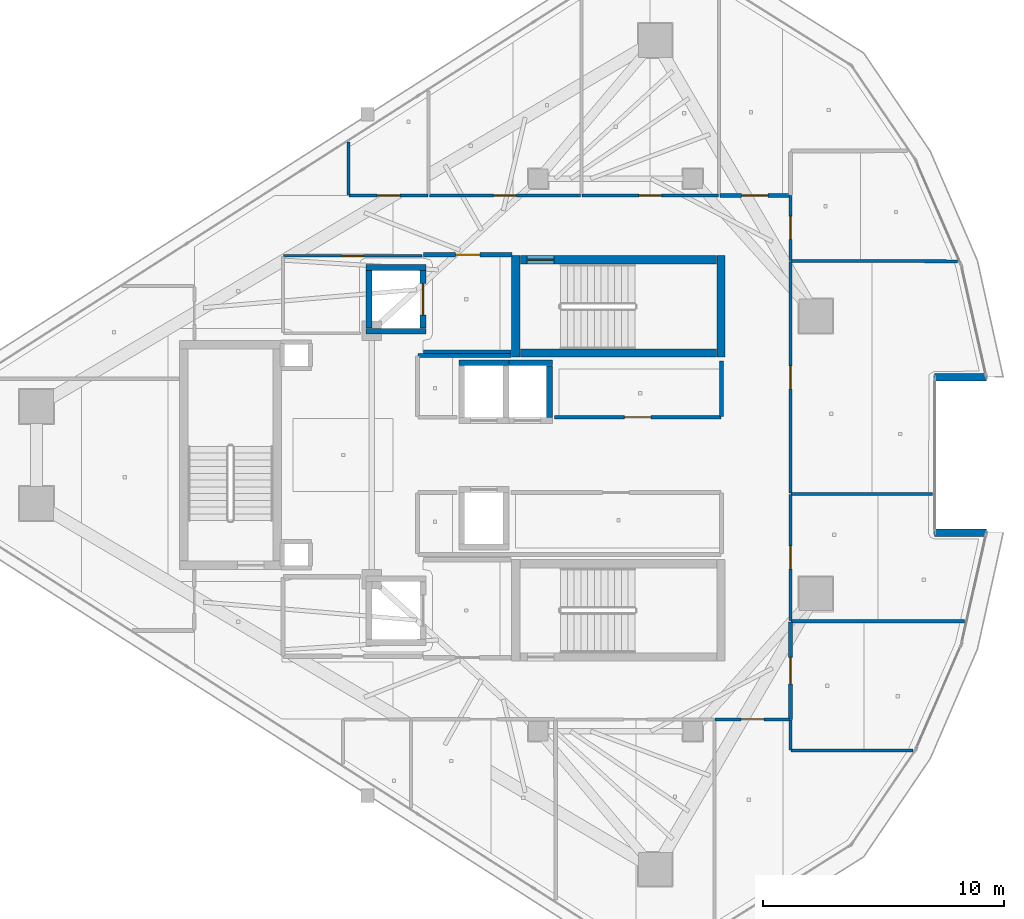
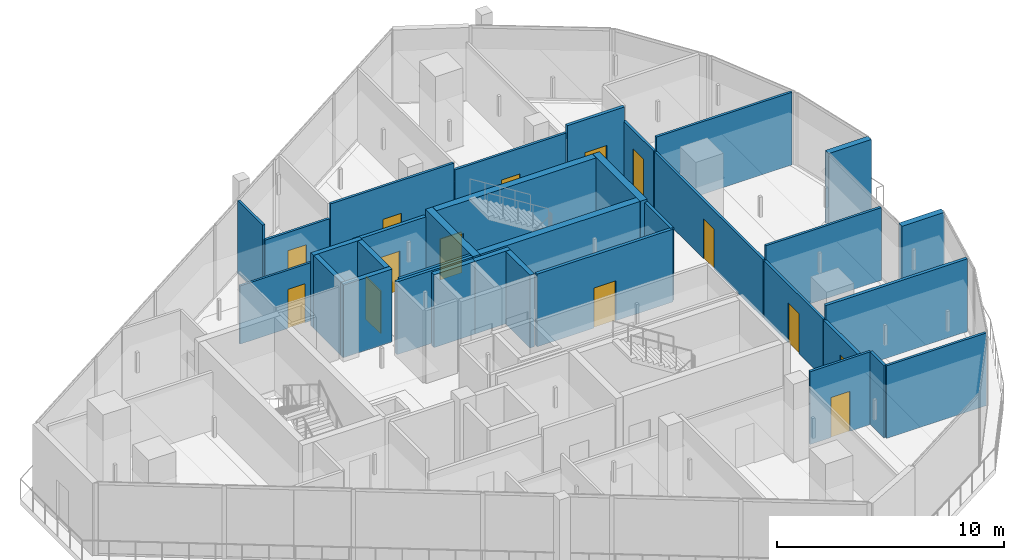
# One storey, part 17 of 24: 34 walls, 14 doors, 14 openings.
"""IFC4 building model written with IfcOpenShell, lengths in metres."""

from ifc_helpers import new_model, si_unit, direction, frame, frame_2d, origin, place, context, subcontext, project, spatial, rectangle, extrude, material, layer, layer_set, type_object, element, fill, save


model = new_model("IFC4")

# Units and contexts
model_context = context("Model", 3, precision=1e-05, world=origin(), true_north=direction((0.0, 1.0)))
body_context = subcontext(model_context, "Body", "Model", "MODEL_VIEW")
ifc_project = project(units=[si_unit("LENGTHUNIT", "METRE"), si_unit("AREAUNIT", "SQUARE_METRE"), si_unit("VOLUMEUNIT", "CUBIC_METRE"), si_unit("PLANEANGLEUNIT", "RADIAN"), si_unit("MASSUNIT", "GRAM", prefix="KILO")], contexts=[model_context])

# Site, building, storey
site_placement = place(None, origin())
site = spatial("IfcSite", under=ifc_project, at=site_placement, CompositionType="ELEMENT")
building_placement = place(site_placement, origin())
building = spatial("IfcBuilding", under=site, at=building_placement, Name="Qorvath Tower", CompositionType="ELEMENT")
storey_placement = place(building_placement, frame((0.0, 0.0, 318.60009765625)))
storey = spatial("IfcBuildingStorey", under=building, at=storey_placement, Name="L74", CompositionType="ELEMENT", Elevation=318.60009765625)

# Wall
ifc_material_1 = material(Name="Gypsum shaftliner on steel studs", Category="steel")
ifc_layer_1 = layer(ifc_material_1, 0.179931640625)
ifc_layer_set_1 = layer_set([ifc_layer_1], Name="FW-LOBBY")
wall_type_1 = type_object("IfcWallType", Name="FW-LOBBY", PredefinedType="PARTITIONING", material=ifc_layer_set_1)
wall_1_placement = place(storey_placement, frame((-28.35498046875, 4.25, 0.0), z_axis=(0.0, 0.0, 1.0), x_axis=(1.0, 0.0, 0.0)))
element("IfcWall", 1, at=wall_1_placement, inside=storey, type_object=wall_type_1, Name="Interior Partition IW-T1-L74-001", PredefinedType="PARTITIONING", context=body_context, shape_type="SweptSolid", body=[
    extrude(rectangle(XDim=3.6220703125, YDim=0.179931640625, at=frame_2d((1.81103515625, 0.0))), origin(), (0.0, 0.0, 1.0), 3.909912109375),
])

# Wall, opening, door
wall_2_placement = place(storey_placement, frame((-24.68408203125, 8.300048828125, 0.0), z_axis=(0.0, 0.0, 1.0), x_axis=(-1.0, 0.0, 0.0)))
wall_2 = element("IfcWall", 2, at=wall_2_placement, inside=storey, type_object=wall_type_1, Name="Interior Partition IW-T1-L74-002", PredefinedType="PARTITIONING", context=body_context, shape_type="SweptSolid", body=[
    extrude(rectangle(XDim=3.6708984375, YDim=0.179931640625, at=frame_2d((1.83544921875, 0.0))), origin(), (0.0, 0.0, 1.0), 3.52880859375),
])
opening_1_placement = place(wall_2_placement, frame((1.33544921875, 0.0, 0.0)))
opening_1 = element("IfcOpeningElement", 3, at=opening_1_placement, cuts=wall_2, Name="Opening D-T1-L74-01", PredefinedType="OPENING", context=body_context, shape_type="SweptSolid", body=[
    extrude(rectangle(XDim=1.0, YDim=2.14990234375, at=frame_2d((0.5, 1.074951171875))), frame((0.0, 0.10009765625, 0.0), z_axis=(0.0, -1.0, 0.0), x_axis=(1.0, 0.0, 0.0)), (0.0, 0.0, 1.0), 0.199951171875),
])
ifc_material_2 = material(Name="Painted galvanised hollow metal", Category="steel")
door_type_1 = type_object("IfcDoorType", Name="FD-60", OperationType="NOTDEFINED", PredefinedType="DOOR", material=ifc_material_2)
door_1_placement = place(opening_1_placement, origin())
door_1 = element("IfcDoor", 4, at=door_1_placement, inside=storey, type_object=door_type_1, Name="Lobby Fire Service Elevator North Door D-T1-L74-01", OperationType="SINGLE_SWING_LEFT", OverallHeight=2.14990234375, OverallWidth=1.0, PredefinedType="DOOR", context=body_context, shape_type="SweptSolid", body=[
    extrude(rectangle(XDim=1.0, YDim=2.14990234375, at=frame_2d((0.5, 1.074951171875))), frame((0.0, 0.02490234375, 0.0), z_axis=(0.0, -1.0, 0.0), x_axis=(1.0, 0.0, 0.0)), (0.0, 0.0, 1.0), 0.050048828125),
])
fill(opening_1, door_1)

ifc_material_3 = material(Name="Double acoustic gypsum board on steel studs", Category="steel")
ifc_layer_2 = layer(ifc_material_3, 0.159912109375)
ifc_layer_set_2 = layer_set([ifc_layer_2], Name="IW-ACOUSTIC-160")
wall_type_2 = type_object("IfcWallType", Name="IW-ACOUSTIC-160", PredefinedType="PARTITIONING", material=ifc_layer_set_2)
wall_3_placement = place(storey_placement, frame((-22.933837890625, 1.56005859375, 0.0), z_axis=(0.0, 0.0, 1.0), x_axis=(1.0, 0.0, 0.0)))
wall_3 = element("IfcWall", 5, at=wall_3_placement, inside=storey, type_object=wall_type_2, Name="Interior Partition IW-T1-L74-010", PredefinedType="PARTITIONING", context=body_context, shape_type="SweptSolid", body=[
    extrude(rectangle(XDim=6.908935546875, YDim=0.159912109375, at=frame_2d((3.45458984375, 0.0))), origin(), (0.0, 0.0, 1.0), 3.909912109375),
])
opening_2_placement = place(wall_3_placement, frame((2.904541015625, 0.0, 0.0)))
opening_2 = element("IfcOpeningElement", 6, at=opening_2_placement, cuts=wall_3, Name="Opening D-T1-L74-04", PredefinedType="OPENING", context=body_context, shape_type="SweptSolid", body=[
    extrude(rectangle(XDim=1.10009765625, YDim=2.14990234375, at=frame_2d((0.550048828125, 1.074951171875))), frame((0.0, 0.08984375, 0.0), z_axis=(0.0, -1.0, 0.0), x_axis=(1.0, 0.0, 0.0)), (0.0, 0.0, 1.0), 0.179931640625),
])
ifc_material_4 = material(Name="Anodised aluminium acoustic framed glass", Category="aluminium")
door_type_2 = type_object("IfcDoorType", Name="D-03", OperationType="NOTDEFINED", PredefinedType="DOOR", material=ifc_material_4)
door_2_placement = place(opening_2_placement, origin())
door_2 = element("IfcDoor", 7, at=door_2_placement, inside=storey, type_object=door_type_2, Name="L74-RCN North Executive Boardroom Door D-T1-L74-04", OperationType="SINGLE_SWING_RIGHT", OverallHeight=2.14990234375, OverallWidth=1.10009765625, PredefinedType="DOOR", context=body_context, shape_type="SweptSolid", body=[
    extrude(rectangle(XDim=1.10009765625, YDim=2.14990234375, at=frame_2d((0.550048828125, 1.074951171875))), frame((0.0, 0.02490234375, 0.0), z_axis=(0.0, -1.0, 0.0), x_axis=(1.0, 0.0, 0.0)), (0.0, 0.0, 1.0), 0.050048828125),
])
fill(opening_2, door_2)

# Walls
wall_4_placement = place(storey_placement, frame((-16.0, 1.585205078125, 0.0), z_axis=(0.0, 0.0, 1.0), x_axis=(0.0, 1.0, 0.0)))
element("IfcWall", 8, at=wall_4_placement, inside=storey, type_object=wall_type_2, Name="Interior Partition IW-T1-L74-011", PredefinedType="PARTITIONING", context=body_context, shape_type="SweptSolid", body=[
    extrude(rectangle(XDim=2.30224609375, YDim=0.159912109375, at=frame_2d((1.151123046875, 0.0))), origin(), (0.0, 0.0, 1.0), 3.909912109375),
])
wall_5_placement = place(storey_placement, frame((-24.73291015625, 4.1201171875, 0.0), z_axis=(0.0, 0.0, 1.0), x_axis=(-1.0, 0.0, 0.0)))
element("IfcWall", 9, at=wall_5_placement, inside=storey, type_object=wall_type_2, Name="Interior Partition IW-T1-L74-012", PredefinedType="PARTITIONING", context=body_context, shape_type="SweptSolid", body=[
    extrude(rectangle(XDim=3.84228515625, YDim=0.159912109375, at=frame_2d((1.921142578125, 0.0))), origin(), (0.0, 0.0, 1.0), 3.909912109375),
])

# Wall, opening, door
wall_6_placement = place(storey_placement, frame((-16.073486328125, 10.758056640625, 0.0), z_axis=(0.0, 0.0, 1.0), x_axis=(1.0, 0.0, 0.0)))
wall_6 = element("IfcWall", 10, at=wall_6_placement, inside=storey, type_object=wall_type_2, Name="Interior Partition IW-T1-L74-028", PredefinedType="PARTITIONING", context=body_context, shape_type="SweptSolid", body=[
    extrude(rectangle(XDim=2.898681640625, YDim=0.159912109375, at=frame_2d((1.44921875, 0.0))), origin(), (0.0, 0.0, 1.0), 3.909912109375),
])
opening_3_placement = place(wall_6_placement, frame((0.8994140625, 0.0, 0.0)))
opening_3 = element("IfcOpeningElement", 11, at=opening_3_placement, cuts=wall_6, Name="Opening D-T1-L74-10", PredefinedType="OPENING", context=body_context, shape_type="SweptSolid", body=[
    extrude(rectangle(XDim=1.10009765625, YDim=2.14990234375, at=frame_2d((0.550048828125, 1.074951171875))), frame((0.0, 0.08984375, 0.0), z_axis=(0.0, -1.0, 0.0), x_axis=(1.0, 0.0, 0.0)), (0.0, 0.0, 1.0), 0.179931640625),
])
door_3_placement = place(opening_3_placement, origin())
door_3 = element("IfcDoor", 12, at=door_3_placement, inside=storey, type_object=door_type_2, Name="L74-04 Digital Visualization Suite Door D-T1-L74-10", OperationType="SINGLE_SWING_RIGHT", OverallHeight=2.14990234375, OverallWidth=1.10009765625, PredefinedType="DOOR", context=body_context, shape_type="SweptSolid", body=[
    extrude(rectangle(XDim=1.10009765625, YDim=2.14990234375, at=frame_2d((0.550048828125, 1.074951171875))), frame((0.0, 0.02490234375, 0.0), z_axis=(0.0, -1.0, 0.0), x_axis=(1.0, 0.0, 0.0)), (0.0, 0.0, 1.0), 0.050048828125),
])
fill(opening_3, door_3)

# Wall
wall_7_placement = place(storey_placement, frame((-5.92578125, -6.89111328125, 0.0), z_axis=(0.0, 0.0, 1.0), x_axis=(-1.0, 0.0, 0.0)))
element("IfcWall", 13, at=wall_7_placement, inside=storey, type_object=wall_type_2, Name="Interior Partition IW-T1-L74-041", PredefinedType="PARTITIONING", context=body_context, shape_type="SweptSolid", body=[
    extrude(rectangle(XDim=7.19140625, YDim=0.159912109375, at=frame_2d((3.595703125, 0.0))), origin(), (0.0, 0.0, 1.0), 3.909912109375),
])

# Wall, opening, door
wall_8_placement = place(storey_placement, frame((-13.14208984375, -6.916015625, 0.0), z_axis=(0.0, 0.0, 1.0), x_axis=(0.0, -1.0, 0.0)))
wall_8 = element("IfcWall", 14, at=wall_8_placement, inside=storey, type_object=wall_type_2, Name="Interior Partition IW-T1-L74-042", PredefinedType="PARTITIONING", context=body_context, shape_type="SweptSolid", body=[
    extrude(rectangle(XDim=4.0419921875, YDim=0.159912109375, at=frame_2d((2.02099609375, 0.0))), origin(), (0.0, 0.0, 1.0), 3.1298828125),
])
opening_4_placement = place(wall_8_placement, frame((1.470947265625, 0.0, 0.0)))
opening_4 = element("IfcOpeningElement", 15, at=opening_4_placement, cuts=wall_8, Name="Opening D-T1-L74-15", PredefinedType="OPENING", context=body_context, shape_type="SweptSolid", body=[
    extrude(rectangle(XDim=1.10009765625, YDim=2.14990234375, at=frame_2d((0.550048828125, 1.074951171875))), frame((0.0, 0.08984375, 0.0), z_axis=(0.0, -1.0, 0.0), x_axis=(1.0, 0.0, 0.0)), (0.0, 0.0, 1.0), 0.179931640625),
])
door_4_placement = place(opening_4_placement, origin())
door_4 = element("IfcDoor", 16, at=door_4_placement, inside=storey, type_object=door_type_2, Name="L74-09 Client Services Office Door D-T1-L74-15", OperationType="SINGLE_SWING_LEFT", OverallHeight=2.14990234375, OverallWidth=1.10009765625, PredefinedType="DOOR", context=body_context, shape_type="SweptSolid", body=[
    extrude(rectangle(XDim=1.10009765625, YDim=2.14990234375, at=frame_2d((0.550048828125, 1.074951171875))), frame((0.0, 0.02490234375, 0.0), z_axis=(0.0, -1.0, 0.0), x_axis=(1.0, 0.0, 0.0)), (0.0, 0.0, 1.0), 0.050048828125),
])
fill(opening_4, door_4)

ifc_material_5 = material(Name="Gypsum board on metal studs with mineral wool", Category="gypsum")
ifc_layer_3 = layer(ifc_material_5, 0.125)
ifc_layer_set_3 = layer_set([ifc_layer_3], Name="IW-PART-125")
wall_type_3 = type_object("IfcWallType", Name="IW-PART-125", PredefinedType="PARTITIONING", material=ifc_layer_set_3)
wall_9_placement = place(storey_placement, frame((-31.435791015625, 10.758056640625, 0.0), z_axis=(0.0, 0.0, 1.0), x_axis=(1.0, 0.0, 0.0)))
wall_9 = element("IfcWall", 17, at=wall_9_placement, inside=storey, type_object=wall_type_3, Name="Interior Partition IW-T1-L74-021", PredefinedType="PARTITIONING", context=body_context, shape_type="SweptSolid", body=[
    extrude(rectangle(XDim=3.263671875, YDim=0.125, at=frame_2d((1.6318359375, 0.0))), origin(), (0.0, 0.0, 1.0), 3.1298828125),
])
opening_5_placement = place(wall_9_placement, frame((1.15673828125, 0.0, 0.0)))
opening_5 = element("IfcOpeningElement", 18, at=opening_5_placement, cuts=wall_9, Name="Opening D-T1-L74-07", PredefinedType="OPENING", context=body_context, shape_type="SweptSolid", body=[
    extrude(rectangle(XDim=0.949951171875, YDim=2.14990234375, at=frame_2d((0.47509765625, 1.074951171875))), frame((0.0, 0.072509765625, 0.0), z_axis=(0.0, -1.0, 0.0), x_axis=(1.0, 0.0, 0.0)), (0.0, 0.0, 1.0), 0.14501953125),
])
ifc_material_6 = material(Name="Solid-core American white oak veneer", Category="wood")
door_type_3 = type_object("IfcDoorType", Name="D-01", OperationType="NOTDEFINED", PredefinedType="DOOR", material=ifc_material_6)
door_5_placement = place(opening_5_placement, origin())
door_5 = element("IfcDoor", 19, at=door_5_placement, inside=storey, type_object=door_type_3, Name="L74-01 Project Collaboration Workspace Door D-T1-L74-07", OperationType="SINGLE_SWING_LEFT", OverallHeight=2.14990234375, OverallWidth=0.949951171875, PredefinedType="DOOR", context=body_context, shape_type="SweptSolid", body=[
    extrude(rectangle(XDim=0.949951171875, YDim=2.14990234375, at=frame_2d((0.47509765625, 1.074951171875))), frame((0.0, 0.02490234375, 0.0), z_axis=(0.0, -1.0, 0.0), x_axis=(1.0, 0.0, 0.0)), (0.0, 0.0, 1.0), 0.050048828125),
])
fill(opening_5, door_5)

# Wall
wall_10_placement = place(storey_placement, frame((-31.460693359375, 12.97119140625, 0.0), z_axis=(0.0, 0.0, 1.0), x_axis=(0.0, -1.0, 0.0)))
element("IfcWall", 20, at=wall_10_placement, inside=storey, type_object=wall_type_3, Name="Interior Partition IW-T1-L74-023", PredefinedType="PARTITIONING", context=body_context, shape_type="SweptSolid", body=[
    extrude(rectangle(XDim=2.18798828125, YDim=0.125, at=frame_2d((1.093994140625, 0.0))), origin(), (0.0, 0.0, 1.0), 3.909912109375),
])

# Wall, opening, door
wall_11_placement = place(storey_placement, frame((-28.114501953125, 10.758056640625, 0.0), z_axis=(0.0, 0.0, 1.0), x_axis=(1.0, 0.0, 0.0)))
wall_11 = element("IfcWall", 21, at=wall_11_placement, inside=storey, type_object=wall_type_3, Name="Interior Partition IW-T1-L74-024", PredefinedType="PARTITIONING", context=body_context, shape_type="SweptSolid", body=[
    extrude(rectangle(XDim=6.276611328125, YDim=0.125, at=frame_2d((3.13818359375, 0.0))), origin(), (0.0, 0.0, 1.0), 3.909912109375),
])
opening_6_placement = place(wall_11_placement, frame((2.663330078125, 0.0, 0.0)))
opening_6 = element("IfcOpeningElement", 22, at=opening_6_placement, cuts=wall_11, Name="Opening D-T1-L74-08", PredefinedType="OPENING", context=body_context, shape_type="SweptSolid", body=[
    extrude(rectangle(XDim=0.949951171875, YDim=2.14990234375, at=frame_2d((0.47509765625, 1.074951171875))), frame((0.0, 0.072509765625, 0.0), z_axis=(0.0, -1.0, 0.0), x_axis=(1.0, 0.0, 0.0)), (0.0, 0.0, 1.0), 0.14501953125),
])
door_6_placement = place(opening_6_placement, origin())
door_6 = element("IfcDoor", 23, at=door_6_placement, inside=storey, type_object=door_type_3, Name="L74-02 Staff Wellness Studio Door D-T1-L74-08", OperationType="SINGLE_SWING_RIGHT", OverallHeight=2.14990234375, OverallWidth=0.949951171875, PredefinedType="DOOR", context=body_context, shape_type="SweptSolid", body=[
    extrude(rectangle(XDim=0.949951171875, YDim=2.14990234375, at=frame_2d((0.47509765625, 1.074951171875))), frame((0.0, 0.02490234375, 0.0), z_axis=(0.0, -1.0, 0.0), x_axis=(1.0, 0.0, 0.0)), (0.0, 0.0, 1.0), 0.050048828125),
])
fill(opening_6, door_6)

wall_12_placement = place(storey_placement, frame((-21.77978515625, 10.758056640625, 0.0), z_axis=(0.0, 0.0, 1.0), x_axis=(1.0, 0.0, 0.0)))
wall_12 = element("IfcWall", 24, at=wall_12_placement, inside=storey, type_object=wall_type_3, Name="Interior Partition IW-T1-L74-026", PredefinedType="PARTITIONING", context=body_context, shape_type="SweptSolid", body=[
    extrude(rectangle(XDim=5.648681640625, YDim=0.125, at=frame_2d((2.82421875, 0.0))), origin(), (0.0, 0.0, 1.0), 3.52880859375),
])
opening_7_placement = place(wall_12_placement, frame((2.349365234375, 0.0, 0.0)))
opening_7 = element("IfcOpeningElement", 25, at=opening_7_placement, cuts=wall_12, Name="Opening D-T1-L74-09", PredefinedType="OPENING", context=body_context, shape_type="SweptSolid", body=[
    extrude(rectangle(XDim=0.949951171875, YDim=2.14990234375, at=frame_2d((0.47509765625, 1.074951171875))), frame((0.0, 0.072509765625, 0.0), z_axis=(0.0, -1.0, 0.0), x_axis=(1.0, 0.0, 0.0)), (0.0, 0.0, 1.0), 0.14501953125),
])
door_7_placement = place(opening_7_placement, origin())
door_7 = element("IfcDoor", 26, at=door_7_placement, inside=storey, type_object=door_type_3, Name="L74-03 Executive Partner Office Door D-T1-L74-09", OperationType="SINGLE_SWING_LEFT", OverallHeight=2.14990234375, OverallWidth=0.949951171875, PredefinedType="DOOR", context=body_context, shape_type="SweptSolid", body=[
    extrude(rectangle(XDim=0.949951171875, YDim=2.14990234375, at=frame_2d((0.47509765625, 1.074951171875))), frame((0.0, 0.02490234375, 0.0), z_axis=(0.0, -1.0, 0.0), x_axis=(1.0, 0.0, 0.0)), (0.0, 0.0, 1.0), 0.050048828125),
])
fill(opening_7, door_7)

# Walls
wall_13_placement = place(storey_placement, frame((-8.05712890625, -12.2548828125, 0.0), z_axis=(0.0, 0.0, 1.0), x_axis=(-0.999998811776, 0.001541572501, 0.0)))
element("IfcWall", 27, at=wall_13_placement, inside=storey, type_object=wall_type_3, Name="Interior Partition IW-T1-L74-038", PredefinedType="PARTITIONING", context=body_context, shape_type="SweptSolid", body=[
    extrude(rectangle(XDim=5.06787109375, YDim=0.125, at=frame_2d((2.533935546875, 0.0))), origin(), (0.0, 0.0, 1.0), 3.909912109375),
])
wall_14_placement = place(storey_placement, frame((-13.14990234375, -12.22216796875, 0.0), z_axis=(0.0, 0.0, 1.0), x_axis=(0.0, 1.0, 0.0)))
element("IfcWall", 28, at=wall_14_placement, inside=storey, type_object=wall_type_3, Name="Interior Partition IW-T1-L74-039", PredefinedType="PARTITIONING", context=body_context, shape_type="SweptSolid", body=[
    extrude(rectangle(XDim=1.2392578125, YDim=0.125, at=frame_2d((0.61962890625, 0.0))), origin(), (0.0, 0.0, 1.0), 3.909912109375),
])

# Wall, opening, door
wall_15_placement = place(storey_placement, frame((-13.1748046875, -10.9580078125, 0.0), z_axis=(0.0, 0.0, 1.0), x_axis=(-1.0, 0.0, 0.0)))
wall_15 = element("IfcWall", 29, at=wall_15_placement, inside=storey, type_object=wall_type_3, Name="Interior Partition IW-T1-L74-040", PredefinedType="PARTITIONING", context=body_context, shape_type="SweptSolid", body=[
    extrude(rectangle(XDim=3.0888671875, YDim=0.125, at=frame_2d((1.54443359375, 0.0))), origin(), (0.0, 0.0, 1.0), 3.909912109375),
])
opening_8_placement = place(wall_15_placement, frame((1.0693359375, 0.0, 0.0)))
opening_8 = element("IfcOpeningElement", 30, at=opening_8_placement, cuts=wall_15, Name="Opening D-T1-L74-14", PredefinedType="OPENING", context=body_context, shape_type="SweptSolid", body=[
    extrude(rectangle(XDim=0.949951171875, YDim=2.14990234375, at=frame_2d((0.47509765625, 1.074951171875))), frame((0.0, 0.072509765625, 0.0), z_axis=(0.0, -1.0, 0.0), x_axis=(1.0, 0.0, 0.0)), (0.0, 0.0, 1.0), 0.14501953125),
])
door_8_placement = place(opening_8_placement, origin())
door_8 = element("IfcDoor", 31, at=door_8_placement, inside=storey, type_object=door_type_3, Name="L74-08 Focus Collaboration Pod Door D-T1-L74-14", OperationType="SINGLE_SWING_RIGHT", OverallHeight=2.14990234375, OverallWidth=0.949951171875, PredefinedType="DOOR", context=body_context, shape_type="SweptSolid", body=[
    extrude(rectangle(XDim=0.949951171875, YDim=2.14990234375, at=frame_2d((0.47509765625, 1.074951171875))), frame((0.0, 0.02490234375, 0.0), z_axis=(0.0, -1.0, 0.0), x_axis=(1.0, 0.0, 0.0)), (0.0, 0.0, 1.0), 0.050048828125),
])
fill(opening_8, door_8)

# Wall
wall_16_placement = place(storey_placement, frame((-7.24951171875, -1.609130859375, 0.0), z_axis=(0.0, 0.0, 1.0), x_axis=(-1.0, 0.0, 0.0)))
element("IfcWall", 32, at=wall_16_placement, inside=storey, type_object=wall_type_3, Name="Interior Partition IW-T1-L74-043", PredefinedType="PARTITIONING", context=body_context, shape_type="SweptSolid", body=[
    extrude(rectangle(XDim=5.86767578125, YDim=0.125, at=frame_2d((2.933837890625, 0.0))), origin(), (0.0, 0.0, 1.0), 3.909912109375),
])

# Wall, opening, door
wall_17_placement = place(storey_placement, frame((-13.14208984375, -1.634033203125, 0.0), z_axis=(0.0, 0.0, 1.0), x_axis=(0.0, -1.0, 0.0)))
wall_17 = element("IfcWall", 33, at=wall_17_placement, inside=storey, type_object=wall_type_3, Name="Interior Partition IW-T1-L74-044", PredefinedType="PARTITIONING", context=body_context, shape_type="SweptSolid", body=[
    extrude(rectangle(XDim=5.22412109375, YDim=0.125, at=frame_2d((2.612060546875, 0.0))), origin(), (0.0, 0.0, 1.0), 3.1298828125),
])
opening_9_placement = place(wall_17_placement, frame((2.13720703125, 0.0, 0.0)))
opening_9 = element("IfcOpeningElement", 34, at=opening_9_placement, cuts=wall_17, Name="Opening D-T1-L74-16", PredefinedType="OPENING", context=body_context, shape_type="SweptSolid", body=[
    extrude(rectangle(XDim=0.949951171875, YDim=2.14990234375, at=frame_2d((0.47509765625, 1.074951171875))), frame((0.0, 0.072509765625, 0.0), z_axis=(0.0, -1.0, 0.0), x_axis=(1.0, 0.0, 0.0)), (0.0, 0.0, 1.0), 0.14501953125),
])
door_9_placement = place(opening_9_placement, origin())
door_9 = element("IfcDoor", 35, at=door_9_placement, inside=storey, type_object=door_type_3, Name="L74-10 Project Collaboration Workspace Door D-T1-L74-16", OperationType="SINGLE_SWING_RIGHT", OverallHeight=2.14990234375, OverallWidth=0.949951171875, PredefinedType="DOOR", context=body_context, shape_type="SweptSolid", body=[
    extrude(rectangle(XDim=0.949951171875, YDim=2.14990234375, at=frame_2d((0.47509765625, 1.074951171875))), frame((0.0, 0.02490234375, 0.0), z_axis=(0.0, -1.0, 0.0), x_axis=(1.0, 0.0, 0.0)), (0.0, 0.0, 1.0), 0.050048828125),
])
fill(opening_9, door_9)

# Wall
wall_18_placement = place(storey_placement, frame((-6.21630859375, 8.028076171875, 0.0), z_axis=(0.0, 0.0, 1.0), x_axis=(-0.999999749677, 0.000707563681, 0.0)))
element("IfcWall", 36, at=wall_18_placement, inside=storey, type_object=wall_type_3, Name="Interior Partition IW-T1-L74-045", PredefinedType="PARTITIONING", context=body_context, shape_type="SweptSolid", body=[
    extrude(rectangle(XDim=6.90087890625, YDim=0.125, at=frame_2d((3.450439453125, 0.0))), origin(), (0.0, 0.0, 1.0), 3.909912109375),
])

# Wall, opening, door
wall_19_placement = place(storey_placement, frame((-13.14208984375, 8.008056640625, 0.0), z_axis=(0.0, 0.0, 1.0), x_axis=(0.0, -1.0, 0.0)))
wall_19 = element("IfcWall", 37, at=wall_19_placement, inside=storey, type_object=wall_type_3, Name="Interior Partition IW-T1-L74-046", PredefinedType="PARTITIONING", context=body_context, shape_type="SweptSolid", body=[
    extrude(rectangle(XDim=9.58447265625, YDim=0.125, at=frame_2d((4.792236328125, 0.0))), origin(), (0.0, 0.0, 1.0), 3.1298828125),
])
opening_10_placement = place(wall_19_placement, frame((4.317138671875, 0.0, 0.0)))
opening_10 = element("IfcOpeningElement", 38, at=opening_10_placement, cuts=wall_19, Name="Opening D-T1-L74-17", PredefinedType="OPENING", context=body_context, shape_type="SweptSolid", body=[
    extrude(rectangle(XDim=0.949951171875, YDim=2.14990234375, at=frame_2d((0.47509765625, 1.074951171875))), frame((0.0, 0.072509765625, 0.0), z_axis=(0.0, -1.0, 0.0), x_axis=(1.0, 0.0, 0.0)), (0.0, 0.0, 1.0), 0.14501953125),
])
door_10_placement = place(opening_10_placement, origin())
door_10 = element("IfcDoor", 39, at=door_10_placement, inside=storey, type_object=door_type_3, Name="L74-11 Staff Wellness Studio Door D-T1-L74-17", OperationType="SINGLE_SWING_LEFT", OverallHeight=2.14990234375, OverallWidth=0.949951171875, PredefinedType="DOOR", context=body_context, shape_type="SweptSolid", body=[
    extrude(rectangle(XDim=0.949951171875, YDim=2.14990234375, at=frame_2d((0.47509765625, 1.074951171875))), frame((0.0, 0.02490234375, 0.0), z_axis=(0.0, -1.0, 0.0), x_axis=(1.0, 0.0, 0.0)), (0.0, 0.0, 1.0), 0.050048828125),
])
fill(opening_10, door_10)

wall_20_placement = place(storey_placement, frame((-13.14208984375, 10.75830078125, 0.0), z_axis=(0.0, 0.0, 1.0), x_axis=(0.0, -1.0, 0.0)))
wall_20 = element("IfcWall", 40, at=wall_20_placement, inside=storey, type_object=wall_type_3, Name="Interior Partition IW-T1-L74-047", PredefinedType="PARTITIONING", context=body_context, shape_type="SweptSolid", body=[
    extrude(rectangle(XDim=2.6923828125, YDim=0.125, at=frame_2d((1.34619140625, 0.0))), origin(), (0.0, 0.0, 1.0), 3.1298828125),
])
opening_11_placement = place(wall_20_placement, frame((0.87109375, 0.0, 0.0)))
opening_11 = element("IfcOpeningElement", 41, at=opening_11_placement, cuts=wall_20, Name="Opening D-T1-L74-18", PredefinedType="OPENING", context=body_context, shape_type="SweptSolid", body=[
    extrude(rectangle(XDim=0.949951171875, YDim=2.14990234375, at=frame_2d((0.47509765625, 1.074951171875))), frame((0.0, 0.072509765625, 0.0), z_axis=(0.0, -1.0, 0.0), x_axis=(1.0, 0.0, 0.0)), (0.0, 0.0, 1.0), 0.14501953125),
])
door_11_placement = place(opening_11_placement, origin())
door_11 = element("IfcDoor", 42, at=door_11_placement, inside=storey, type_object=door_type_3, Name="L74-12 Executive Partner Office Door D-T1-L74-18", OperationType="SINGLE_SWING_RIGHT", OverallHeight=2.14990234375, OverallWidth=0.949951171875, PredefinedType="DOOR", context=body_context, shape_type="SweptSolid", body=[
    extrude(rectangle(XDim=0.949951171875, YDim=2.14990234375, at=frame_2d((0.47509765625, 1.074951171875))), frame((0.0, 0.02490234375, 0.0), z_axis=(0.0, -1.0, 0.0), x_axis=(1.0, 0.0, 0.0)), (0.0, 0.0, 1.0), 0.050048828125),
])
fill(opening_11, door_11)

ifc_material_7 = material(Name="Moisture-resistant cement board on metal studs", Category="gypsum")
ifc_layer_4 = layer(ifc_material_7, 0.110107421875)
ifc_layer_set_4 = layer_set([ifc_layer_4], Name="IW-WC-110")
wall_type_4 = type_object("IfcWallType", Name="IW-WC-110", PredefinedType="PARTITIONING", material=ifc_layer_set_4)
wall_21_placement = place(storey_placement, frame((-28.412841796875, 8.25, 0.0), z_axis=(0.0, 0.0, 1.0), x_axis=(-1.0, 0.0, 0.0)))
wall_21 = element("IfcWall", 43, at=wall_21_placement, inside=storey, type_object=wall_type_4, Name="Interior Partition IW-T1-L74-007", PredefinedType="PARTITIONING", context=body_context, shape_type="SweptSolid", body=[
    extrude(rectangle(XDim=5.741943359375, YDim=0.110107421875, at=frame_2d((2.87109375, 0.0))), origin(), (0.0, 0.0, 1.0), 3.1298828125),
])
opening_12_placement = place(wall_21_placement, frame((2.430908203125, 0.0, 0.0)))
opening_12 = element("IfcOpeningElement", 44, at=opening_12_placement, cuts=wall_21, Name="Opening D-T1-L74-03", PredefinedType="OPENING", context=body_context, shape_type="SweptSolid", body=[
    extrude(rectangle(XDim=0.8798828125, YDim=2.10009765625, at=frame_2d((0.43994140625, 1.050048828125))), frame((0.0, 0.06494140625, 0.0), z_axis=(0.0, -1.0, 0.0), x_axis=(1.0, 0.0, 0.0)), (0.0, 0.0, 1.0), 0.130126953125),
])
ifc_material_8 = material(Name="Solid-core oak with acoustic drop seal", Category="wood")
door_type_4 = type_object("IfcDoorType", Name="D-02", OperationType="NOTDEFINED", PredefinedType="DOOR", material=ifc_material_8)
door_12_placement = place(opening_12_placement, origin())
door_12 = element("IfcDoor", 45, at=door_12_placement, inside=storey, type_object=door_type_4, Name="Accessible WC North L74 Door D-T1-L74-03", OperationType="SINGLE_SWING_LEFT", OverallHeight=2.10009765625, OverallWidth=0.8798828125, PredefinedType="DOOR", context=body_context, shape_type="SweptSolid", body=[
    extrude(rectangle(XDim=0.8798828125, YDim=2.10009765625, at=frame_2d((0.43994140625, 1.050048828125))), frame((0.0, 0.02490234375, 0.0), z_axis=(0.0, -1.0, 0.0), x_axis=(1.0, 0.0, 0.0)), (0.0, 0.0, 1.0), 0.050048828125),
])
fill(opening_12, door_12)

# Walls
ifc_material_9 = material(Name="Concrete C60/75", Category="concrete")
ifc_layer_5 = layer(ifc_material_9, 0.260009765625)
ifc_layer_set_5 = layer_set([ifc_layer_5], Name="SW-SHAFT")
wall_type_5 = type_object("IfcWallType", Name="SW-SHAFT", PredefinedType="SHEAR", material=ifc_layer_set_5)
for number, where, z_axis, x_axis, name in (
    (46, (-28.260009765625, 5.1298828125, 0.0), (0.0, 0.0, 1.0), (-1.0, 0.0, 0.0), "Hoistway Wall FSAE-1 L74 S"),
    (47, (-30.739990234375, 7.77001953125, 0.0), (0.0, 0.0, 1.0), (1.0, 0.0, 0.0), "Hoistway Wall FSAE-1 L74 N"),
):
    element("IfcWall", number, at=place(storey_placement, frame(where, z_axis=z_axis, x_axis=x_axis)), inside=storey, type_object=wall_type_5, Name=name, PredefinedType="SHEAR", context=body_context, shape_type="SweptSolid", body=[
        extrude(rectangle(XDim=2.47998046875, YDim=0.239990234375, at=frame_2d((1.239990234375, 0.0))), origin(), (0.0, 0.0, 1.0), 3.909912109375),
    ])
wall_22_placement = place(storey_placement, frame((-30.6201171875, 5.261962890625, 0.0), z_axis=(0.0, 0.0, 1.0), x_axis=(0.0, 1.0, 0.0)))
element("IfcWall", 48, at=wall_22_placement, inside=storey, type_object=wall_type_5, Name="Hoistway Wall FSAE-1 L74 W", PredefinedType="SHEAR", context=body_context, shape_type="SweptSolid", body=[
    extrude(rectangle(XDim=2.3759765625, YDim=0.239990234375, at=frame_2d((1.18798828125, 0.0))), origin(), (0.0, 0.0, 1.0), 3.909912109375),
])

# Wall, opening, door
wall_23_placement = place(storey_placement, frame((-28.3798828125, 7.637939453125, 0.0), z_axis=(0.0, 0.0, 1.0), x_axis=(0.0, -1.0, 0.0)))
wall_23 = element("IfcWall", 49, at=wall_23_placement, inside=storey, type_object=wall_type_5, Name="Hoistway Wall FSAE-1 L74 E", PredefinedType="SHEAR", context=body_context, shape_type="SweptSolid", body=[
    extrude(rectangle(XDim=2.3759765625, YDim=0.239990234375, at=frame_2d((1.18798828125, 0.0))), origin(), (0.0, 0.0, 1.0), 3.909912109375),
])
opening_13_placement = place(wall_23_placement, frame((0.537841796875, 0.0, 0.0)))
opening_13 = element("IfcOpeningElement", 50, at=opening_13_placement, cuts=wall_23, Name="Opening LD-FSAE-1-L74", PredefinedType="OPENING", context=body_context, shape_type="SweptSolid", body=[
    extrude(rectangle(XDim=1.300048828125, YDim=2.300048828125, at=frame_2d((0.64990234375, 1.14990234375))), frame((0.0, 0.1298828125, 0.0), z_axis=(0.0, -1.0, 0.0), x_axis=(1.0, 0.0, 0.0)), (0.0, 0.0, 1.0), 0.260009765625),
])
ifc_material_10 = material(Name="Brushed stainless steel AISI 316", Category="steel")
door_type_5 = type_object("IfcDoorType", Name="LD-02", OperationType="NOTDEFINED", PredefinedType="DOOR", material=ifc_material_10)
door_13_placement = place(opening_13_placement, origin())
door_13 = element("IfcDoor", 51, at=door_13_placement, inside=storey, type_object=door_type_5, Name="Elevator Landing Sliding Door LD-FSAE-1-L74", OperationType="DOUBLE_DOOR_SLIDING", OverallHeight=2.300048828125, OverallWidth=1.300048828125, PredefinedType="DOOR", context=body_context, shape_type="SweptSolid", body=[
    extrude(rectangle(XDim=1.300048828125, YDim=2.300048828125, at=frame_2d((0.64990234375, 1.14990234375))), frame((0.0, 0.02490234375, 0.0), z_axis=(0.0, -1.0, 0.0), x_axis=(1.0, 0.0, 0.0)), (0.0, 0.0, 1.0), 0.050048828125),
])
fill(opening_13, door_13)

# Walls
wall_24_placement = place(storey_placement, frame((-26.889892578125, 3.820068359375, 0.0), z_axis=(0.0, 0.0, 1.0), x_axis=(1.0, 0.0, 0.0)))
element("IfcWall", 52, at=wall_24_placement, inside=storey, type_object=wall_type_5, Name="Hoistway Wall PH-1 L74 N", PredefinedType="SHEAR", context=body_context, shape_type="SweptSolid", body=[
    extrude(rectangle(XDim=2.079833984375, YDim=0.239990234375, at=frame_2d((1.0400390625, 0.0))), origin(), (0.0, 0.0, 1.0), 3.909912109375),
])
wall_25_placement = place(storey_placement, frame((-24.81005859375, 3.820068359375, 0.0), z_axis=(0.0, 0.0, 1.0), x_axis=(1.0, 0.0, 0.0)))
element("IfcWall", 53, at=wall_25_placement, inside=storey, type_object=wall_type_5, Name="Hoistway Wall PH-2 L74 N", PredefinedType="SHEAR", context=body_context, shape_type="SweptSolid", body=[
    extrude(rectangle(XDim=1.800048828125, YDim=0.239990234375, at=frame_2d((0.89990234375, 0.0))), origin(), (0.0, 0.0, 1.0), 3.909912109375),
])
wall_26_placement = place(storey_placement, frame((-23.1298828125, 3.68798828125, 0.0), z_axis=(0.0, 0.0, 1.0), x_axis=(0.0, -1.0, 0.0)))
element("IfcWall", 54, at=wall_26_placement, inside=storey, type_object=wall_type_5, Name="Hoistway Wall PH-2 L74 E", PredefinedType="SHEAR", context=body_context, shape_type="SweptSolid", body=[
    extrude(rectangle(XDim=2.1259765625, YDim=0.239990234375, at=frame_2d((1.06298828125, 0.0))), origin(), (0.0, 0.0, 1.0), 3.909912109375),
])
ifc_material_11 = material(Name="Concrete C60/75", Category="concrete")
ifc_layer_6 = layer(ifc_material_11, 0.35009765625)
ifc_layer_set_6 = layer_set([ifc_layer_6], Name="SW-STAIR")
wall_type_6 = type_object("IfcWallType", Name="SW-STAIR", PredefinedType="SHEAR", material=ifc_layer_set_6)
for number, where, z_axis, x_axis, name in (
    (55, (-24.52490234375, 8.260009765625, 0.0), (0.0, 0.0, 1.0), (0.0, -1.0, 0.0), "Stair TS1 Shear Wall L74 NEAR"),
    (56, (-16.02490234375, 4.050048828125, 0.0), (0.0, 0.0, 1.0), (0.0, 1.0, 0.0), "Stair TS1 Shear Wall L74 FAR"),
):
    element("IfcWall", number, at=place(storey_placement, frame(where, z_axis=z_axis, x_axis=x_axis)), inside=storey, type_object=wall_type_6, Name=name, PredefinedType="SHEAR", context=body_context, shape_type="SweptSolid", body=[
        extrude(rectangle(XDim=4.2099609375, YDim=0.35009765625, at=frame_2d((2.10498046875, 0.0))), origin(), (0.0, 0.0, 1.0), 3.909912109375),
    ])
wall_27_placement = place(storey_placement, frame((-24.3349609375, 4.22509765625, 0.0), z_axis=(0.0, 0.0, 1.0), x_axis=(1.0, 0.0, 0.0)))
element("IfcWall", 57, at=wall_27_placement, inside=storey, type_object=wall_type_6, Name="Stair TS1 Shear Wall L74 LEFT", PredefinedType="SHEAR", context=body_context, shape_type="SweptSolid", body=[
    extrude(rectangle(XDim=8.119873046875, YDim=0.35009765625, at=frame_2d((4.06005859375, 0.0))), origin(), (0.0, 0.0, 1.0), 3.909912109375),
])

# Wall, opening, door
wall_28_placement = place(storey_placement, frame((-16.215087890625, 8.0849609375, 0.0), z_axis=(0.0, 0.0, 1.0), x_axis=(-1.0, 0.0, 0.0)))
wall_28 = element("IfcWall", 58, at=wall_28_placement, inside=storey, type_object=wall_type_6, Name="Stair TS1 Shear Wall L74 RIGHT", PredefinedType="SHEAR", context=body_context, shape_type="SweptSolid", body=[
    extrude(rectangle(XDim=8.119873046875, YDim=0.35009765625, at=frame_2d((4.06005859375, 0.0))), origin(), (0.0, 0.0, 1.0), 3.909912109375),
])
opening_14_placement = place(wall_28_placement, frame((6.739990234375, 0.0, 0.0)))
opening_14 = element("IfcOpeningElement", 59, at=opening_14_placement, cuts=wall_28, Name="Opening D-TS1-L74", PredefinedType="OPENING", context=body_context, shape_type="SweptSolid", body=[
    extrude(rectangle(XDim=1.10009765625, YDim=2.199951171875, at=frame_2d((0.550048828125, 1.10009765625))), frame((0.0, 0.18505859375, 0.0), z_axis=(0.0, -1.0, 0.0), x_axis=(1.0, 0.0, 0.0)), (0.0, 0.0, 1.0), 0.3701171875),
])
ifc_material_12 = material(Name="Painted galvanised hollow metal", Category="steel")
door_type_6 = type_object("IfcDoorType", Name="FD-90", OperationType="NOTDEFINED", PredefinedType="DOOR", material=ifc_material_12)
door_14_placement = place(opening_14_placement, origin())
door_14 = element("IfcDoor", 60, at=door_14_placement, inside=storey, type_object=door_type_6, Name="Stair TS1 Fire Door L74", OperationType="SINGLE_SWING_LEFT", OverallHeight=2.199951171875, OverallWidth=1.10009765625, PredefinedType="DOOR", context=body_context, shape_type="SweptSolid", body=[
    extrude(rectangle(XDim=1.10009765625, YDim=2.199951171875, at=frame_2d((0.550048828125, 1.10009765625))), frame((0.0, 0.02490234375, 0.0), z_axis=(0.0, -1.0, 0.0), x_axis=(1.0, 0.0, 0.0)), (0.0, 0.0, 1.0), 0.050048828125),
])
fill(opening_14, door_14)

# Walls
ifc_material_13 = material(Name="Precast concrete C45/55", Category="concrete")
ifc_layer_7 = layer(ifc_material_13, 0.300048828125)
ifc_layer_set_7 = layer_set([ifc_layer_7], Name="WL-EW-LOG-300")
wall_type_7 = type_object("IfcWallType", Name="WL-EW-LOG-300", PredefinedType="SOLIDWALL", material=ifc_layer_set_7)
for number, where, z_axis, x_axis, name in (
    (61, (-5.0205078125, -3.223876953125, 0.0), (0.0, 0.0, 1.0), (-1.0, 0.0, 0.0), "Tower Precast Loggia Wall L74-8.1"),
    (62, (-7.169677734375, 3.223876953125, 0.0), (0.0, 0.0, 1.0), (1.0, 0.0, 0.0), "Tower Precast Loggia Wall L74-10.1"),
):
    element("IfcWall", number, at=place(storey_placement, frame(where, z_axis=z_axis, x_axis=x_axis)), inside=storey, type_object=wall_type_7, Name=name, PredefinedType="SOLIDWALL", context=body_context, shape_type="SweptSolid", body=[
        extrude(rectangle(XDim=2.149169921875, YDim=0.300048828125, at=frame_2d((1.07470703125, 0.0))), origin(), (0.0, 0.0, 1.0), 3.909912109375),
    ])

save(model, "model.ifc")
